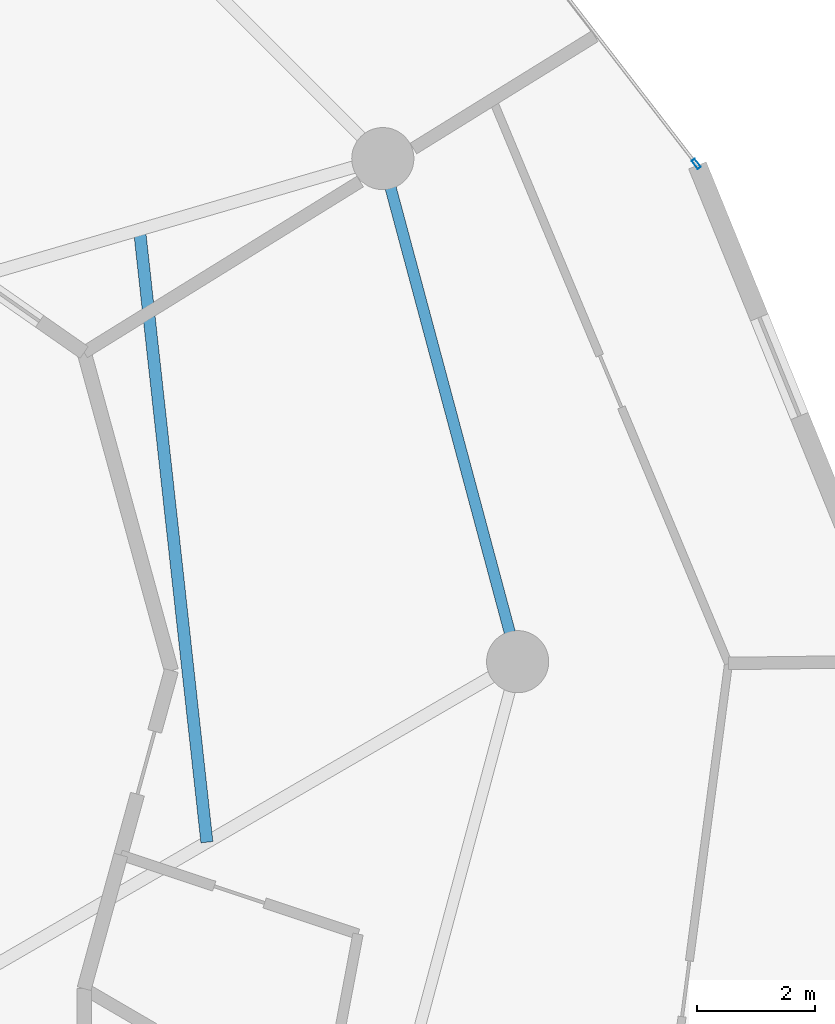
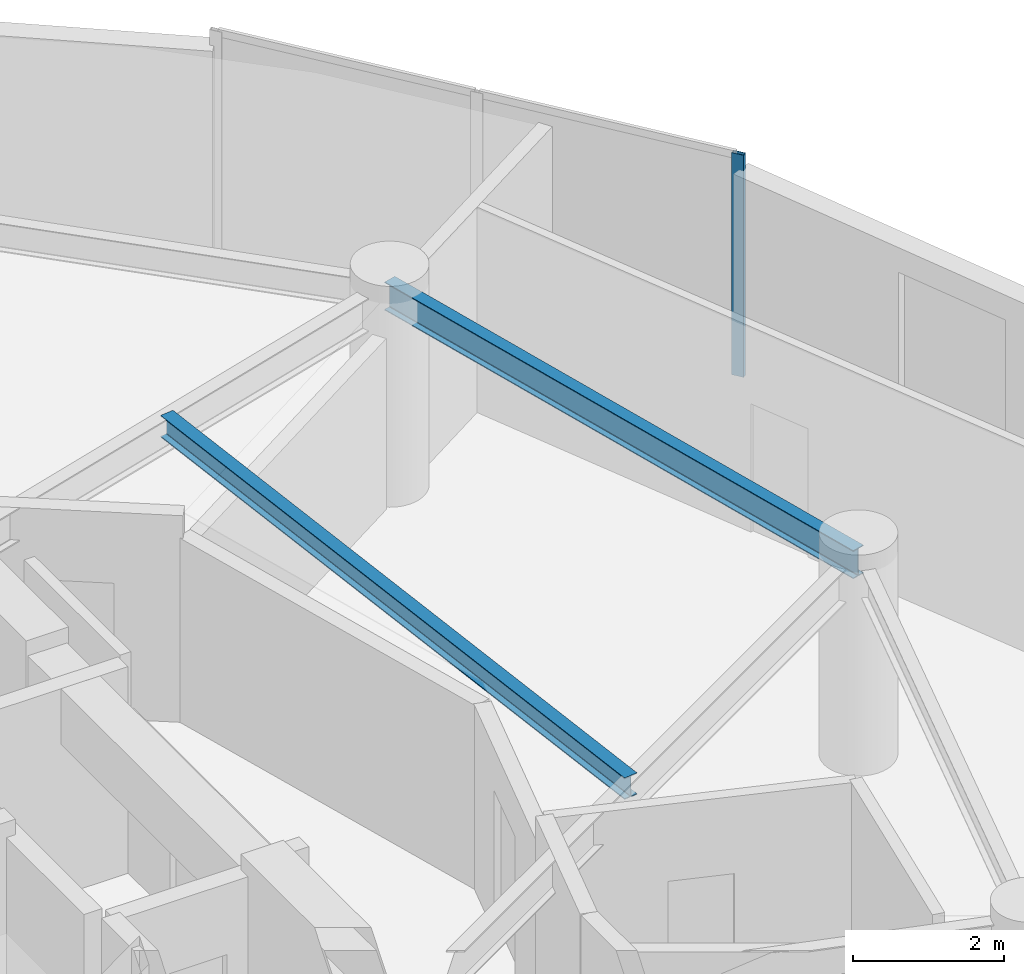
# One storey, part 12 of 22: 2 beams, 1 member, 1 element without a shape of its own.
"""IFC4 building model written with IfcOpenShell, lengths in metres."""

from ifc_helpers import new_model, si_unit, direction, frame, origin, origin_2d, place, context, subcontext, project, spatial, hollow_rectangle, i_section, extrude, source, transform, mapped, material, layer, layer_set, material_profile, profile_set, type_object, element, aggregate, save


model = new_model("IFC4")

# Units and contexts
model_context = context("Model", 3, precision=1e-05, world=origin(), true_north=direction((0.0, 1.0)))
body_context = subcontext(model_context, "Body", "Model", "MODEL_VIEW")
ifc_project = project(units=[si_unit("LENGTHUNIT", "METRE"), si_unit("AREAUNIT", "SQUARE_METRE"), si_unit("VOLUMEUNIT", "CUBIC_METRE"), si_unit("PLANEANGLEUNIT", "RADIAN"), si_unit("MASSUNIT", "GRAM", prefix="KILO")], contexts=[model_context])

# Site, building, storey
site_placement = place(None, origin())
site = spatial("IfcSite", under=ifc_project, at=site_placement, CompositionType="ELEMENT")
building_placement = place(site_placement, origin())
building = spatial("IfcBuilding", under=site, at=building_placement, Name="Solvirekh Grand Hotel", CompositionType="ELEMENT")
storey_placement = place(building_placement, frame((0.0, 0.0, 145.800048828125)))
storey = spatial("IfcBuildingStorey", under=building, at=storey_placement, Name="L37", CompositionType="ELEMENT", Elevation=145.800048828125)

# Beams
ifc_material_1 = material(Name="Steel S355", Category="steel")
ifc_material_profile_1 = material_profile(ifc_material_1, i_section(OverallWidth=0.2041015625, OverallDepth=0.35009765625, WebThickness=0.009033203125, FlangeThickness=0.014892578125, FilletRadius=0.010986328125, at=origin_2d()), Name="W360X72")
ifc_profile_set_1 = profile_set([ifc_material_profile_1], Name="Steel S355")
beam_type_1 = type_object("IfcBeamType", Name="Joist_Floor_W360", PredefinedType="JOIST", material=ifc_profile_set_1)
beam_1_placement = place(storey_placement, frame((11.75, -3.050048828125, 3.175048828125), z_axis=(-0.109378935301, 0.994000125006, 0.0), x_axis=(-0.994000125006, -0.109378935301, 0.0)))
element("IfcBeam", 1, at=beam_1_placement, inside=storey, type_object=beam_type_1, Name="L37 secondary composite floor joist 1", PredefinedType="JOIST", context=body_context, shape_type="SweptSolid", body=[
    extrude(i_section(OverallWidth=0.2041015625, OverallDepth=0.35009765625, WebThickness=0.009033203125, FlangeThickness=0.014892578125, FilletRadius=0.010986328125, at=origin_2d()), origin(), (0.0, 0.0, 1.0), 10.41259765625),
])
ifc_material_profile_2 = material_profile(ifc_material_1, i_section(OverallWidth=0.18994140625, OverallDepth=0.45703125, WebThickness=0.009033203125, FlangeThickness=0.013916015625, FilletRadius=0.012939453125, at=origin_2d()), Name="W460X74")
ifc_profile_set_2 = profile_set([ifc_material_profile_2], Name="Steel S355")
beam_type_2 = type_object("IfcBeamType", Name="Spandrel_Ring_W460", PredefinedType="SPANDREL", material=ifc_profile_set_2)
beam_2_placement = place(storey_placement, frame((17.0, 0.0, 3.1220703125), z_axis=(-0.258872908946, 0.965911391906, 0.0), x_axis=(-0.965911391906, -0.258872908946, 0.0)))
element("IfcBeam", 2, at=beam_2_placement, inside=storey, type_object=beam_type_2, Name="L37 perimeter spandrel beam 1", PredefinedType="SPANDREL", context=body_context, shape_type="SweptSolid", body=[
    extrude(i_section(OverallWidth=0.18994140625, OverallDepth=0.45703125, WebThickness=0.009033203125, FlangeThickness=0.013916015625, FilletRadius=0.012939453125, at=origin_2d()), origin(), (0.0, 0.0, 1.0), 8.800048828125),
])

# Curtain wall, member
ifc_material_2 = material(Name="Anodized Bronze Aluminium 6063-T6", Category="aluminium")
ifc_layer = layer(ifc_material_2, 0.175048828125)
ifc_layer_set = layer_set([ifc_layer], Name="Anodized Bronze Aluminium 6063-T6")
curtain_wall_type = type_object("IfcCurtainWallType", Name="CW_Sys3_MidZoneFlushBronzeCW", PredefinedType="NOTDEFINED", material=ifc_layer_set)
curtain_wall_placement = place(storey_placement, origin())
curtain_wall = element("IfcCurtainWall", 3, at=curtain_wall_placement, inside=storey, type_object=curtain_wall_type, Name="L37 unitised bronze-glass curtain wall CW-L37-C05", PredefinedType="NOTDEFINED")
ifc_material_profile_3 = material_profile(ifc_material_2, hollow_rectangle(XDim=0.06494140625, YDim=0.175048828125, WallThickness=0.0048828125, at=origin_2d()), Name="ALU RHS 175X65X5")
ifc_profile_set_3 = profile_set([ifc_material_profile_3], Name="Anodized Bronze Aluminium 6063-T6")
member_type = type_object("IfcMemberType", Name="CWMullion_Sys3", PredefinedType="MULLION", material=ifc_profile_set_3)
shared_shape = source(origin(), body_context, "Body", "SweptSolid", [
    extrude(hollow_rectangle(XDim=0.06494140625, YDim=0.175048828125, WallThickness=0.0048828125, at=origin_2d()), origin(), (0.0, 0.0, 1.0), 3.599853515625),
])
member_placement = place(storey_placement, frame((20.01806640625, 8.41064453125, 0.0), z_axis=(0.0, 0.0, 1.0), x_axis=(-0.791604914405, -0.611033271999, 0.0)))
member = element("IfcMember", 4, at=member_placement, type_object=member_type, Name="U03 mullion 1", PredefinedType="MULLION", context=body_context, shape_type="MappedRepresentation", body=[
    mapped(shared_shape, transform((0.0, 0.0, 0.0), x_axis=(1.0, 0.0, 0.0), y_axis=(0.0, 1.0, 0.0), z_axis=(0.0, 0.0, 1.0), scale=1.0)),
])
aggregate(curtain_wall, [member])

save(model, "model.ifc")
